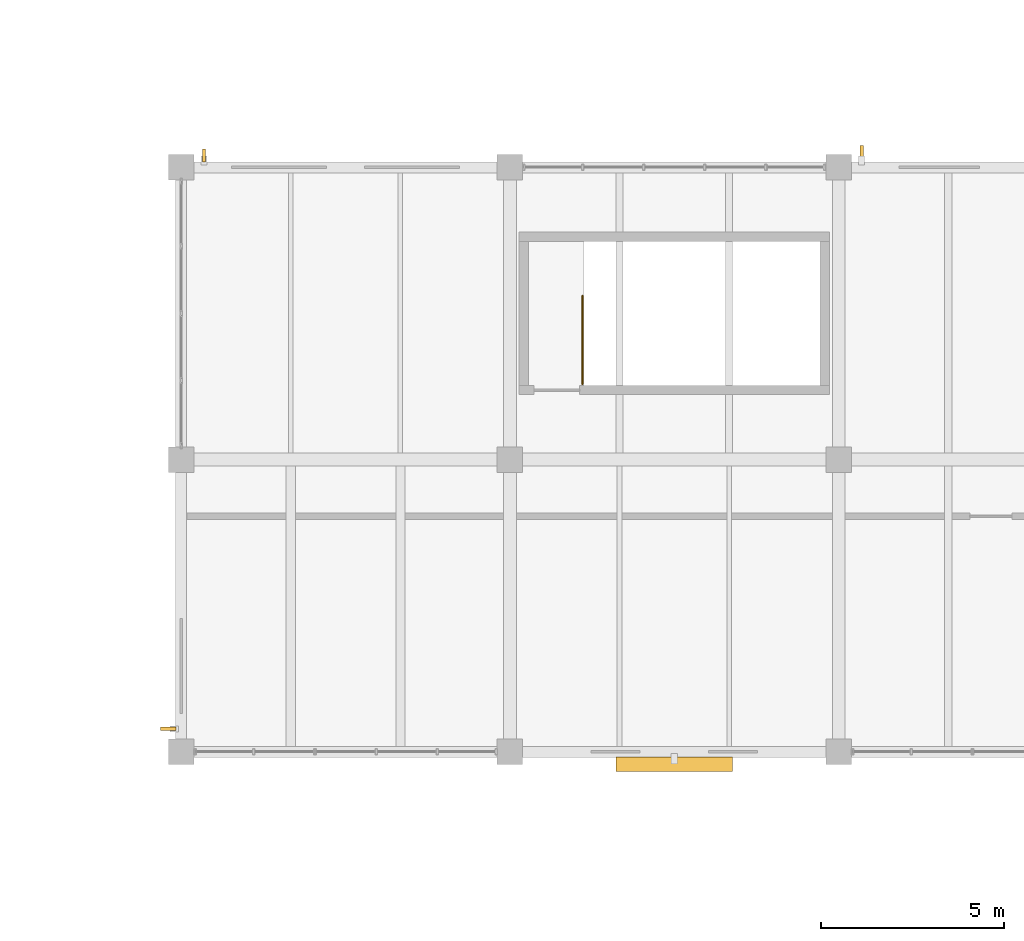
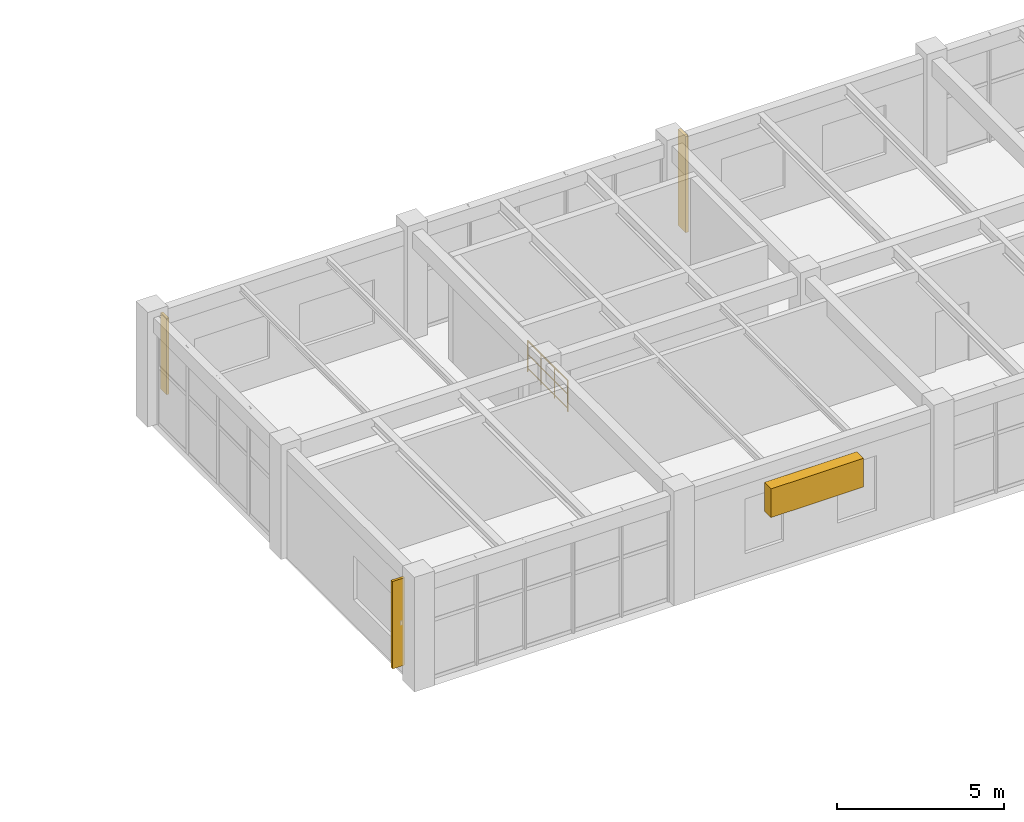
# One storey, part 124 of 128: 4 shading devices, 1 railing.
"""IFC4 building model written with IfcOpenShell, lengths in metres."""

from ifc_helpers import new_model, si_unit, derived_unit, direction, frame, origin, origin_2d, place, context, subcontext, project, spatial, rectangle, circle, extrude, material, type_object, element, save


model = new_model("IFC4")

# Units and contexts
model_context = context("Model", 3, precision=1e-05, world=origin(), true_north=direction((0.0, 1.0)))
body_context = subcontext(model_context, "Body", "Model", "MODEL_VIEW")
ifc_project = project(units=[si_unit("LENGTHUNIT", "METRE"), si_unit("AREAUNIT", "SQUARE_METRE"), si_unit("VOLUMEUNIT", "CUBIC_METRE"), si_unit("PLANEANGLEUNIT", "RADIAN"), si_unit("MASSUNIT", "GRAM", prefix="KILO"), derived_unit("THERMALTRANSMITTANCEUNIT", [(si_unit("MASSUNIT", "GRAM", prefix="KILO"), 1), (si_unit("TIMEUNIT", "SECOND"), -3), (si_unit("THERMODYNAMICTEMPERATUREUNIT", "KELVIN"), -1)])], contexts=[model_context])

# Site, building, storey
site_placement = place(None, origin())
site = spatial("IfcSite", under=ifc_project, at=site_placement, CompositionType="ELEMENT")
building_placement = place(site_placement, origin())
building = spatial("IfcBuilding", under=site, at=building_placement, Name="Zhenchuan Archway Interchange", CompositionType="ELEMENT")
storey_placement = place(building_placement, frame((0.0, 0.0, 14.39990234375)))
storey = spatial("IfcBuildingStorey", under=building, at=storey_placement, Name="L03", CompositionType="ELEMENT", Elevation=14.39990234375)

# Railing
ifc_material_1 = material(Name="Painted Galvanised Steel", Category="steel")
railing_type = type_object("IfcRailingType", Name="RL_GUARD_1150", PredefinedType="GUARDRAIL", material=ifc_material_1)
railing_placement = place(storey_placement, frame((118.985107421875, 98.06494140625, 0.0)))
element("IfcRailing", 1, at=railing_placement, inside=storey, type_object=railing_type, Name="Stair ST-O6 top landing guard (L03)", PredefinedType="GUARDRAIL", context=body_context, shape_type="SweptSolid", body=[
    extrude(circle(Radius=0.02392578125, at=origin_2d()), frame((0.0, 0.0, 1.1259765625), z_axis=(0.0, 1.0, 0.0), x_axis=(-1.0, 0.0, 0.0)), (0.0, 0.0, 1.0), 2.420166015625),
    extrude(circle(Radius=0.01611328125, at=origin_2d()), frame((0.0, 0.0, 0.63232421875), z_axis=(0.0, 1.0, 0.0), x_axis=(-1.0, 0.0, 0.0)), (0.0, 0.0, 1.0), 2.420166015625),
    extrude(circle(Radius=0.01611328125, at=origin_2d()), frame((0.0, 0.0, 0.1201171875), z_axis=(0.0, 1.0, 0.0), x_axis=(-1.0, 0.0, 0.0)), (0.0, 0.0, 1.0), 2.420166015625),
    extrude(circle(Radius=0.02099609375, at=origin_2d()), origin(), (0.0, 0.0, 1.0), 1.1259765625),
    extrude(circle(Radius=0.02099609375, at=origin_2d()), frame((0.0, 0.806640625, 0.0)), (0.0, 0.0, 1.0), 1.1259765625),
    extrude(circle(Radius=0.02099609375, at=origin_2d()), frame((0.0, 1.613525390625, 0.0)), (0.0, 0.0, 1.0), 1.1259765625),
    extrude(circle(Radius=0.02099609375, at=origin_2d()), frame((0.0, 2.420166015625, 0.0)), (0.0, 0.0, 1.0), 1.1259765625),
])

# Shading devices
ifc_material_2 = material(Name="Terracotta Ceramic", Category="masonry")
shading_device_type_1 = type_object("IfcShadingDeviceType", Name="SHD_FIN_1", PredefinedType="USERDEFINED", material=ifc_material_2)
shading_device_1_placement = place(storey_placement, frame((107.64599609375, 88.6279296875, 0.3603515625), z_axis=(0.0, 0.0, 1.0), x_axis=(0.0, 1.0, 0.0)))
element("IfcShadingDevice", 2, at=shading_device_1_placement, inside=storey, type_object=shading_device_type_1, Name="Terracotta vertical solar fin L03-111", ObjectType="FINS", PredefinedType="USERDEFINED", context=body_context, shape_type="SweptSolid", body=[
    extrude(rectangle(XDim=0.090087890625, YDim=0.419921875, at=origin_2d()), origin(), (0.0, 0.0, 1.0), 3.199951171875),
])
shading_device_type_2 = type_object("IfcShadingDeviceType", Name="SHD_FIN_2", PredefinedType="USERDEFINED", material=ifc_material_2)
shading_device_2_placement = place(storey_placement, frame((108.6279296875, 104.323974609375, 0.56005859375), z_axis=(0.0, 0.0, 1.0), x_axis=(1.0, 0.0, 0.0)))
element("IfcShadingDevice", 3, at=shading_device_2_placement, inside=storey, type_object=shading_device_type_2, Name="Terracotta vertical solar fin L03-112", ObjectType="FINS", PredefinedType="USERDEFINED", context=body_context, shape_type="SweptSolid", body=[
    extrude(rectangle(XDim=0.080078125, YDim=0.360107421875, at=origin_2d()), origin(), (0.0, 0.0, 1.0), 2.800048828125),
])
shading_device_type_3 = type_object("IfcShadingDeviceType", Name="SHD_FIN_3", PredefinedType="USERDEFINED", material=ifc_material_2)
shading_device_3_placement = place(storey_placement, frame((126.6279296875, 104.3740234375, 0.2001953125), z_axis=(0.0, 0.0, 1.0), x_axis=(1.0, 0.0, 0.0)))
element("IfcShadingDevice", 4, at=shading_device_3_placement, inside=storey, type_object=shading_device_type_3, Name="Terracotta vertical solar fin L03-113", ObjectType="FINS", PredefinedType="USERDEFINED", context=body_context, shape_type="SweptSolid", body=[
    extrude(rectangle(XDim=0.10009765625, YDim=0.4599609375, at=origin_2d()), origin(), (0.0, 0.0, 1.0), 3.52001953125),
])
ifc_material_3 = material(Name="Anodised Aluminium", Category="aluminium")
shading_device_type_4 = type_object("IfcShadingDeviceType", Name="SHD_LOUVRE_3", PredefinedType="JALOUSIE", material=ifc_material_3)
shading_device_4_placement = place(storey_placement, frame((121.5, 87.656005859375, 2.22509765625), z_axis=(0.0, 0.0, 1.0), x_axis=(-1.0, 0.0, 0.0)))
element("IfcShadingDevice", 5, at=shading_device_4_placement, inside=storey, type_object=shading_device_type_4, Name="Monsoon storm-louvre jalousie L03-110", PredefinedType="JALOUSIE", context=body_context, shape_type="SweptSolid", body=[
    extrude(rectangle(XDim=3.199951171875, YDim=0.39990234375, at=origin_2d()), origin(), (0.0, 0.0, 1.0), 1.050048828125),
])

save(model, "model.ifc")
